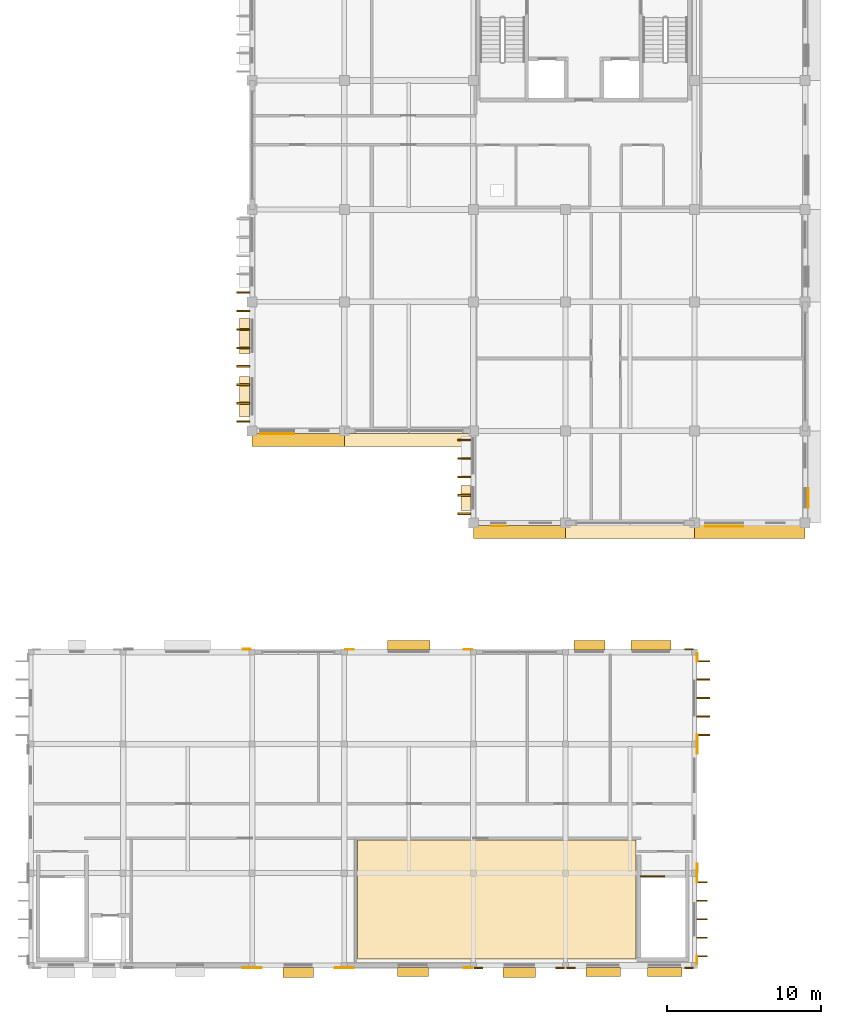
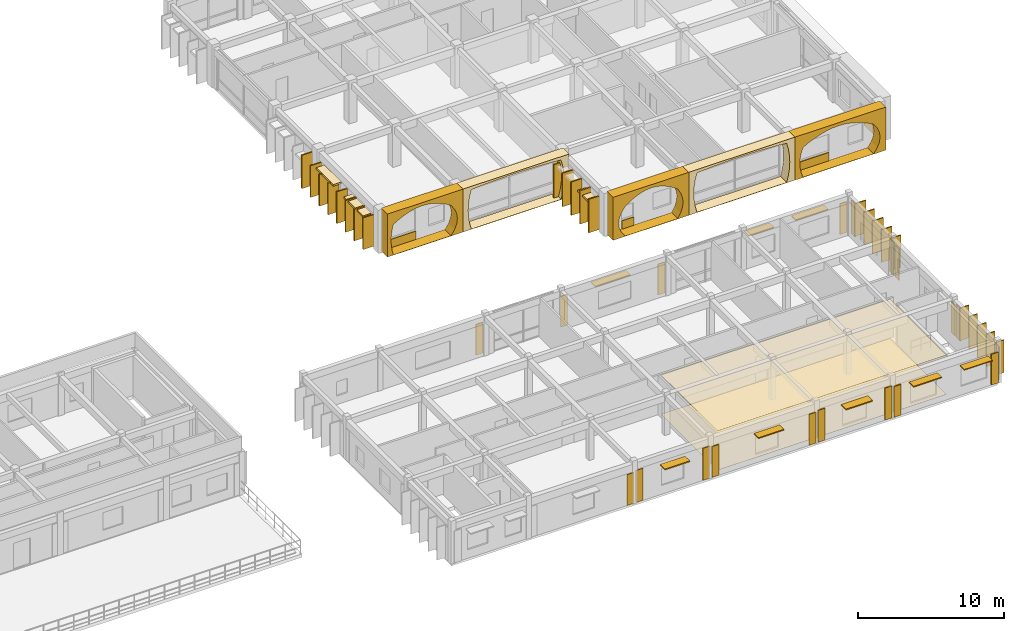
# One storey, part 84 of 88: 46 coverings, 18 shading devices, 1 railing.
"""IFC4 building model written with IfcOpenShell, lengths in metres."""

from ifc_helpers import new_model, si_unit, direction, frame, origin, origin_2d, place, context, subcontext, project, spatial, polyline, rectangle, outline, extrude, material, layer, layer_set, type_object, element, save


model = new_model("IFC4")

# Units and contexts
model_context = context("Model", 3, precision=1e-05, world=origin(), true_north=direction((0.0, 1.0)))
body_context = subcontext(model_context, "Body", "Model", "MODEL_VIEW")
ifc_project = project(units=[si_unit("LENGTHUNIT", "METRE"), si_unit("AREAUNIT", "SQUARE_METRE"), si_unit("VOLUMEUNIT", "CUBIC_METRE"), si_unit("PLANEANGLEUNIT", "RADIAN"), si_unit("MASSUNIT", "GRAM", prefix="KILO"), si_unit("THERMODYNAMICTEMPERATUREUNIT", "KELVIN")], contexts=[model_context])

# Site, building, storey
site_placement = place(None, origin())
site = spatial("IfcSite", under=ifc_project, at=site_placement, CompositionType="ELEMENT")
building_placement = place(site_placement, origin())
building = spatial("IfcBuilding", under=site, at=building_placement, Name="Thalorik Housing Commons", CompositionType="ELEMENT")
storey_placement = place(building_placement, frame((0.0, 0.0, 4.5)))
storey = spatial("IfcBuildingStorey", under=building, at=storey_placement, Name="L01", CompositionType="ELEMENT", Elevation=4.5)

# Coverings
ifc_material_1 = material(Name="Cobalt blue glazed ceramic facade tile panel", Category="masonry")
ifc_layer_1 = layer(ifc_material_1, 0.06005859375, Name="Cobalt blue glazed ceramic facade tile panel", Category="masonry")
ifc_layer_set_1 = layer_set([ifc_layer_1], Name="Cobalt blue glazed ceramic facade tile panel")
covering_type_1 = type_object("IfcCoveringType", Name="ARC-CLD-BLU-60", PredefinedType="CLADDING", material=ifc_layer_set_1)
for number, where, z_axis, x_axis, name in (
    (1, (138.35009765625, 8.23291015625, 0.0498046875), (0.0, 0.0, 1.0), (1.0, 0.0, 0.0), "L01 Architectural Facade Cladding 5226"),
    (2, (143.64990234375, 8.23291015625, 0.0498046875), (0.0, 0.0, 1.0), (1.0, 0.0, 0.0), "L01 Architectural Facade Cladding 5227"),
):
    element("IfcCovering", number, at=place(storey_placement, frame(where, z_axis=z_axis, x_axis=x_axis)), inside=storey, type_object=covering_type_1, Name=name, PredefinedType="CLADDING", context=body_context, shape_type="SweptSolid", body=[
        extrude(rectangle(XDim=0.550048828125, YDim=0.06005859375, at=origin_2d()), origin(), (0.0, 0.0, 1.0), 2.675048828125),
    ])
for number, where, z_axis, x_axis, name in (
    (3, (166.967041015625, 14.75, 0.050048828125), (0.0, 0.0, 1.0), (0.0, 1.0, 0.0), "L01 Architectural Facade Cladding 5236"),
    (4, (166.967041015625, 22.449951171875, 0.050048828125), (0.0, 0.0, 1.0), (0.0, 1.0, 0.0), "L01 Architectural Facade Cladding 5237"),
):
    element("IfcCovering", number, at=place(storey_placement, frame(where, z_axis=z_axis, x_axis=x_axis)), inside=storey, type_object=covering_type_1, Name=name, PredefinedType="CLADDING", context=body_context, shape_type="SweptSolid", body=[
        extrude(rectangle(XDim=0.550048828125, YDim=0.06005859375, at=origin_2d()), origin(), (0.0, 0.0, 1.0), 2.625),
    ])
ifc_material_2 = material(Name="Precast concrete C40/50", Category="concrete")
ifc_layer_2 = layer(ifc_material_2, 0.85009765625, Name="Precast concrete C40/50", Category="concrete")
ifc_layer_set_2 = layer_set([ifc_layer_2], Name="Precast concrete C40/50")
covering_type_2 = type_object("IfcCoveringType", Name="ARC-CLD-CUSH-850", PredefinedType="CLADDING", material=ifc_layer_set_2)
covering_1_placement = place(storey_placement, frame((141.0, 42.614990234375, 0.0), z_axis=(0.0, 0.0, 1.0), x_axis=(1.0, 0.0, 0.0)))
element("IfcCovering", 5, at=covering_1_placement, inside=storey, type_object=covering_type_2, Name="L01 White Precast Curved Cushion Bay Frame 4573", PredefinedType="CLADDING", context=body_context, shape_type="SweptSolid", body=[
    extrude(outline(polyline([(-3.0, 0.0), (3.0, 0.0), (3.0, 3.60009765625), (-3.0, 3.60009765625), (-3.0, 0.0)]), holes=[polyline([(2.044921875, 0.02490234375), (2.32568359375, 0.44921875), (2.493896484375, 0.873291015625), (2.550048828125, 1.297607421875), (2.493896484375, 1.7216796875), (2.32568359375, 2.145751953125), (2.044921875, 2.570068359375), (1.66455078125, 2.804443359375), (1.2841796875, 2.98828125), (0.90380859375, 3.1376953125), (0.523193359375, 3.248291015625), (0.142822265625, 3.31689453125), (-0.237548828125, 3.340087890625), (-0.617919921875, 3.31689453125), (-0.998291015625, 3.248291015625), (-1.378662109375, 3.1376953125), (-1.75927734375, 2.98828125), (-2.1396484375, 2.804443359375), (-2.52001953125, 2.570068359375), (-2.621337890625, 2.145751953125), (-2.68212890625, 1.7216796875), (-2.702392578125, 1.297607421875), (-2.68212890625, 0.873291015625), (-2.621337890625, 0.44921875), (-2.52001953125, 0.02490234375), (2.044921875, 0.02490234375)])]), frame((0.0, 0.425048828125, 0.0), z_axis=(0.0, -1.0, 0.0), x_axis=(1.0, 0.0, 0.0)), (0.0, 0.0, 1.0), 0.85009765625),
])
covering_2_placement = place(storey_placement, frame((148.199951171875, 42.614990234375, 0.0), z_axis=(0.0, 0.0, 1.0), x_axis=(1.0, 0.0, 0.0)))
element("IfcCovering", 6, at=covering_2_placement, inside=storey, type_object=covering_type_2, Name="L01 White Precast Curved Cushion Bay Frame 4575", PredefinedType="CLADDING", context=body_context, shape_type="SweptSolid", body=[
    extrude(outline(polyline([(-4.199951171875, 0.0), (4.199951171875, 0.0), (4.199951171875, 3.60009765625), (-4.199951171875, 3.60009765625), (-4.199951171875, 0.0)]), holes=[polyline([(3.550048828125, 0.02490234375), (3.687255859375, 0.57421875), (3.76953125, 1.123291015625), (3.797119140625, 1.672607421875), (3.76953125, 2.2216796875), (3.687255859375, 2.770751953125), (3.550048828125, 3.320068359375), (2.958251953125, 3.362548828125), (2.36669921875, 3.39599609375), (1.77490234375, 3.423095703125), (1.183349609375, 3.443359375), (0.591796875, 3.455810546875), (0.0, 3.4599609375), (-0.591796875, 3.455810546875), (-1.183349609375, 3.443359375), (-1.77490234375, 3.423095703125), (-2.36669921875, 3.39599609375), (-2.958251953125, 3.362548828125), (-3.550048828125, 3.320068359375), (-3.687255859375, 2.770751953125), (-3.76953125, 2.2216796875), (-3.797119140625, 1.672607421875), (-3.76953125, 1.123291015625), (-3.687255859375, 0.57421875), (-3.550048828125, 0.02490234375), (3.550048828125, 0.02490234375)])]), frame((0.0, 0.425048828125, 0.0), z_axis=(0.0, -1.0, 0.0), x_axis=(1.0, 0.0, 0.0)), (0.0, 0.0, 1.0), 0.85009765625),
])
covering_3_placement = place(storey_placement, frame((155.39990234375, 36.614990234375, 0.0), z_axis=(0.0, 0.0, 1.0), x_axis=(1.0, 0.0, 0.0)))
element("IfcCovering", 7, at=covering_3_placement, inside=storey, type_object=covering_type_2, Name="L01 White Precast Curved Cushion Bay Frame 4583", PredefinedType="CLADDING", context=body_context, shape_type="SweptSolid", body=[
    extrude(outline(polyline([(-3.0, 0.0), (3.0, 0.0), (3.0, 3.60009765625), (-3.0, 3.60009765625), (-3.0, 0.0)]), holes=[polyline([(2.1298828125, 0.02490234375), (2.36328125, 0.4375), (2.50341796875, 0.85009765625), (2.550048828125, 1.262451171875), (2.50341796875, 1.675048828125), (2.36328125, 2.08740234375), (2.1298828125, 2.5), (1.782470703125, 2.755615234375), (1.43505859375, 2.956298828125), (1.08740234375, 3.119140625), (0.739990234375, 3.239990234375), (0.392578125, 3.314697265625), (0.044921875, 3.340087890625), (-0.302490234375, 3.314697265625), (-0.64990234375, 3.239990234375), (-0.99755859375, 3.119140625), (-1.344970703125, 2.956298828125), (-1.6923828125, 2.755615234375), (-2.0400390625, 2.5), (-2.3232421875, 2.08740234375), (-2.493408203125, 1.675048828125), (-2.550048828125, 1.262451171875), (-2.493408203125, 0.85009765625), (-2.3232421875, 0.4375), (-2.0400390625, 0.02490234375), (2.1298828125, 0.02490234375)])]), frame((0.0, 0.425048828125, 0.0), z_axis=(0.0, -1.0, 0.0), x_axis=(1.0, 0.0, 0.0)), (0.0, 0.0, 1.0), 0.85009765625),
])
covering_4_placement = place(storey_placement, frame((162.60009765625, 36.614990234375, 0.0), z_axis=(0.0, 0.0, 1.0), x_axis=(1.0, 0.0, 0.0)))
element("IfcCovering", 8, at=covering_4_placement, inside=storey, type_object=covering_type_2, Name="L01 White Precast Curved Cushion Bay Frame 4585", PredefinedType="CLADDING", context=body_context, shape_type="SweptSolid", body=[
    extrude(outline(polyline([(-4.199951171875, 0.0), (4.199951171875, 0.0), (4.199951171875, 3.60009765625), (-4.199951171875, 3.60009765625), (-4.199951171875, 0.0)]), holes=[polyline([(3.550048828125, 0.02490234375), (3.687255859375, 0.57421875), (3.76953125, 1.123291015625), (3.797119140625, 1.672607421875), (3.76953125, 2.2216796875), (3.687255859375, 2.770751953125), (3.550048828125, 3.320068359375), (2.958251953125, 3.362548828125), (2.36669921875, 3.39599609375), (1.77490234375, 3.423095703125), (1.183349609375, 3.443359375), (0.591796875, 3.455810546875), (0.0, 3.4599609375), (-0.591796875, 3.455810546875), (-1.183349609375, 3.443359375), (-1.77490234375, 3.423095703125), (-2.36669921875, 3.39599609375), (-2.958251953125, 3.362548828125), (-3.550048828125, 3.320068359375), (-3.687255859375, 2.770751953125), (-3.76953125, 2.2216796875), (-3.797119140625, 1.672607421875), (-3.76953125, 1.123291015625), (-3.687255859375, 0.57421875), (-3.550048828125, 0.02490234375), (3.550048828125, 0.02490234375)])]), frame((0.0, 0.425048828125, 0.0), z_axis=(0.0, -1.0, 0.0), x_axis=(1.0, 0.0, 0.0)), (0.0, 0.0, 1.0), 0.85009765625),
])
covering_5_placement = place(storey_placement, frame((170.39990234375, 36.614990234375, 0.0), z_axis=(0.0, 0.0, 1.0), x_axis=(1.0, 0.0, 0.0)))
element("IfcCovering", 9, at=covering_5_placement, inside=storey, type_object=covering_type_2, Name="L01 White Precast Curved Cushion Bay Frame 4586", PredefinedType="CLADDING", context=body_context, shape_type="SweptSolid", body=[
    extrude(outline(polyline([(-3.60009765625, 0.0), (3.60009765625, 0.0), (3.60009765625, 3.60009765625), (-3.60009765625, 3.60009765625), (-3.60009765625, 0.0)]), holes=[polyline([(2.639892578125, 0.02490234375), (2.92333984375, 0.4375), (3.09326171875, 0.85009765625), (3.14990234375, 1.262451171875), (3.09326171875, 1.675048828125), (2.92333984375, 2.08740234375), (2.639892578125, 2.5), (2.17333984375, 2.755615234375), (1.706787109375, 2.956298828125), (1.239990234375, 3.119140625), (0.773193359375, 3.239990234375), (0.306640625, 3.314697265625), (-0.159912109375, 3.340087890625), (-0.626708984375, 3.314697265625), (-1.09326171875, 3.239990234375), (-1.56005859375, 3.119140625), (-2.026611328125, 2.956298828125), (-2.493408203125, 2.755615234375), (-2.9599609375, 2.5), (-3.09521484375, 2.08740234375), (-3.17626953125, 1.675048828125), (-3.203125, 1.262451171875), (-3.17626953125, 0.85009765625), (-3.09521484375, 0.4375), (-2.9599609375, 0.02490234375), (2.639892578125, 0.02490234375)])]), frame((0.0, 0.425048828125, 0.0), z_axis=(0.0, -1.0, 0.0), x_axis=(1.0, 0.0, 0.0)), (0.0, 0.0, 1.0), 0.85009765625),
])
ifc_layer_3 = layer(ifc_material_2, 0.85009765625, Name="Precast concrete C40/50", Category="concrete")
ifc_layer_set_3 = layer_set([ifc_layer_3], Name="Precast concrete C40/50")
covering_type_3 = type_object("IfcCoveringType", Name="ARC-CLD-FIN-850", PredefinedType="CLADDING", material=ifc_layer_set_3)
covering_6_placement = place(storey_placement, frame((137.4150390625, 52.199951171875, 0.0400390625), z_axis=(0.0, 0.0, 1.0), x_axis=(0.0, -1.0, 0.0)))
element("IfcCovering", 10, at=covering_6_placement, inside=storey, type_object=covering_type_3, Name="L01 Courtyard Precast Vertical Brise-Soleil Fin 4561", PredefinedType="CLADDING", context=body_context, shape_type="SweptSolid", body=[
    extrude(rectangle(XDim=0.110107421875, YDim=0.85009765625, at=origin_2d()), origin(), (0.0, 0.0, 1.0), 2.794921875),
])
for number, where, z_axis, x_axis, name in (
    (11, (137.4150390625, 51.0, 0.0400390625), (0.0, 0.0, 1.0), (0.0, -1.0, 0.0), "L01 Courtyard Precast Vertical Brise-Soleil Fin 4564"),
    (12, (137.4150390625, 49.800048828125, 0.0400390625), (0.0, 0.0, 1.0), (0.0, -1.0, 0.0), "L01 Courtyard Precast Vertical Brise-Soleil Fin 4565"),
    (13, (137.4150390625, 48.60009765625, 0.0400390625), (0.0, 0.0, 1.0), (0.0, -1.0, 0.0), "L01 Courtyard Precast Vertical Brise-Soleil Fin 4566"),
    (14, (137.4150390625, 47.39990234375, 0.0400390625), (0.0, 0.0, 1.0), (0.0, -1.0, 0.0), "L01 Courtyard Precast Vertical Brise-Soleil Fin 4567"),
    (15, (137.4150390625, 46.199951171875, 0.0400390625), (0.0, 0.0, 1.0), (0.0, -1.0, 0.0), "L01 Courtyard Precast Vertical Brise-Soleil Fin 4568"),
    (16, (137.4150390625, 45.0, 0.0400390625), (0.0, 0.0, 1.0), (0.0, -1.0, 0.0), "L01 Courtyard Precast Vertical Brise-Soleil Fin 4569"),
    (17, (137.4150390625, 43.800048828125, 0.0400390625), (0.0, 0.0, 1.0), (0.0, -1.0, 0.0), "L01 Courtyard Precast Vertical Brise-Soleil Fin 4570"),
):
    element("IfcCovering", number, at=place(storey_placement, frame(where, z_axis=z_axis, x_axis=x_axis)), inside=storey, type_object=covering_type_3, Name=name, PredefinedType="CLADDING", context=body_context, shape_type="SweptSolid", body=[
        extrude(rectangle(XDim=0.110107421875, YDim=0.85009765625, at=origin_2d()), origin(), (0.0, 0.0, 1.0), 2.64501953125),
    ])
for number, where, z_axis, x_axis, name in (
    (18, (151.81494140625, 42.60009765625, 0.0400390625), (0.0, 0.0, 1.0), (0.0, -1.0, 0.0), "L01 Courtyard Precast Vertical Brise-Soleil Fin 4576"),
    (19, (151.81494140625, 41.39990234375, 0.0400390625), (0.0, 0.0, 1.0), (0.0, -1.0, 0.0), "L01 Courtyard Precast Vertical Brise-Soleil Fin 4577"),
    (20, (151.81494140625, 40.199951171875, 0.0400390625), (0.0, 0.0, 1.0), (0.0, -1.0, 0.0), "L01 Courtyard Precast Vertical Brise-Soleil Fin 4578"),
    (21, (151.81494140625, 39.0, 0.0400390625), (0.0, 0.0, 1.0), (0.0, -1.0, 0.0), "L01 Courtyard Precast Vertical Brise-Soleil Fin 4579"),
    (22, (151.81494140625, 37.800048828125, 0.0400390625), (0.0, 0.0, 1.0), (0.0, -1.0, 0.0), "L01 Courtyard Precast Vertical Brise-Soleil Fin 4580"),
):
    element("IfcCovering", number, at=place(storey_placement, frame(where, z_axis=z_axis, x_axis=x_axis)), inside=storey, type_object=covering_type_3, Name=name, PredefinedType="CLADDING", context=body_context, shape_type="SweptSolid", body=[
        extrude(rectangle(XDim=0.110107421875, YDim=0.85009765625, at=origin_2d()), origin(), (0.0, 0.0, 1.0), 2.794921875),
    ])
ifc_layer_4 = layer(ifc_material_2, 0.64990234375, Name="Precast concrete C40/50", Category="concrete")
ifc_layer_set_4 = layer_set([ifc_layer_4], Name="Precast concrete C40/50")
covering_type_4 = type_object("IfcCoveringType", Name="ARC-CLD-HOOD-650", PredefinedType="CLADDING", material=ifc_layer_set_4)
covering_7_placement = place(storey_placement, frame((137.514892578125, 49.3701171875, 2.5751953125), z_axis=(0.0, 0.0, 1.0), x_axis=(0.0, -1.0, 0.0)))
element("IfcCovering", 23, at=covering_7_placement, inside=storey, type_object=covering_type_4, Name="L01 Courtyard Precast Window Sun-Hood 4571", PredefinedType="CLADDING", context=body_context, shape_type="SweptSolid", body=[
    extrude(rectangle(XDim=2.340087890625, YDim=0.64990234375, at=origin_2d()), origin(), (0.0, 0.0, 1.0), 0.139892578125),
])
covering_8_placement = place(storey_placement, frame((137.514892578125, 45.429931640625, 2.43994140625), z_axis=(0.0, 0.0, 1.0), x_axis=(0.0, -1.0, 0.0)))
element("IfcCovering", 24, at=covering_8_placement, inside=storey, type_object=covering_type_4, Name="L01 Courtyard Precast Window Sun-Hood 4572", PredefinedType="CLADDING", context=body_context, shape_type="SweptSolid", body=[
    extrude(rectangle(XDim=2.639892578125, YDim=0.64990234375, at=origin_2d()), origin(), (0.0, 0.0, 1.0), 0.139892578125),
])
covering_9_placement = place(storey_placement, frame((151.9150390625, 38.830078125, 2.27001953125), z_axis=(0.0, 0.0, 1.0), x_axis=(0.0, -1.0, 0.0)))
element("IfcCovering", 25, at=covering_9_placement, inside=storey, type_object=covering_type_4, Name="L01 Courtyard Precast Window Sun-Hood 4582", PredefinedType="CLADDING", context=body_context, shape_type="SweptSolid", body=[
    extrude(rectangle(XDim=1.6201171875, YDim=0.64990234375, at=origin_2d()), origin(), (0.0, 0.0, 1.0), 0.139892578125),
])
ifc_layer_5 = layer(ifc_material_2, 0.074951171875, Name="Precast concrete C40/50", Category="concrete")
ifc_layer_set_5 = layer_set([ifc_layer_5], Name="Precast concrete C40/50")
covering_type_5 = type_object("IfcCoveringType", Name="ARC-CLD-PIER-75", PredefinedType="CLADDING", material=ifc_layer_set_5)
for number, where, z_axis, x_axis, name in (
    (26, (152.75, 8.2255859375, 0.0498046875), (0.0, 0.0, 1.0), (1.0, 0.0, 0.0), "L01 Architectural Facade Cladding 5230"),
    (27, (158.050048828125, 8.2255859375, 0.0498046875), (0.0, 0.0, 1.0), (1.0, 0.0, 0.0), "L01 Architectural Facade Cladding 5231"),
):
    element("IfcCovering", number, at=place(storey_placement, frame(where, z_axis=z_axis, x_axis=x_axis)), inside=storey, type_object=covering_type_5, Name=name, PredefinedType="CLADDING", context=body_context, shape_type="SweptSolid", body=[
        extrude(rectangle(XDim=0.550048828125, YDim=0.074951171875, at=origin_2d()), origin(), (0.0, 0.0, 1.0), 2.675048828125),
    ])
covering_10_placement = place(storey_placement, frame((166.449951171875, 28.974609375, 0.0498046875), z_axis=(0.0, 0.0, 1.0), x_axis=(-1.0, 0.0, 0.0)))
element("IfcCovering", 28, at=covering_10_placement, inside=storey, type_object=covering_type_5, Name="L01 Architectural Facade Cladding 5240", PredefinedType="CLADDING", context=body_context, shape_type="SweptSolid", body=[
    extrude(rectangle(XDim=0.550048828125, YDim=0.074951171875, at=origin_2d()), origin(), (0.0, 0.0, 1.0), 2.574951171875),
])
ifc_layer_6 = layer(ifc_material_2, 0.090087890625, Name="Precast concrete C40/50", Category="concrete")
ifc_layer_set_6 = layer_set([ifc_layer_6], Name="Precast concrete C40/50")
covering_type_6 = type_object("IfcCoveringType", Name="ARC-CLD-PIER-90", PredefinedType="CLADDING", material=ifc_layer_set_6)
for number, where, z_axis, x_axis, name in (
    (29, (158.75, 8.218017578125, 0.0498046875), (0.0, 0.0, 1.0), (1.0, 0.0, 0.0), "L01 Architectural Facade Cladding 5232"),
    (30, (166.449951171875, 8.218017578125, 0.0498046875), (0.0, 0.0, 1.0), (1.0, 0.0, 0.0), "L01 Architectural Facade Cladding 5233"),
):
    element("IfcCovering", number, at=place(storey_placement, frame(where, z_axis=z_axis, x_axis=x_axis)), inside=storey, type_object=covering_type_6, Name=name, PredefinedType="CLADDING", context=body_context, shape_type="SweptSolid", body=[
        extrude(rectangle(XDim=0.550048828125, YDim=0.090087890625, at=origin_2d()), origin(), (0.0, 0.0, 1.0), 2.574951171875),
    ])
ifc_material_3 = material(Name="Terracotta red mineral fibre-cement panel", Category="masonry")
ifc_layer_7 = layer(ifc_material_3, 0.054931640625, Name="Terracotta red mineral fibre-cement panel", Category="masonry")
ifc_layer_set_7 = layer_set([ifc_layer_7], Name="Terracotta red mineral fibre-cement panel")
covering_type_7 = type_object("IfcCoveringType", Name="ARC-CLD-RED-55", PredefinedType="CLADDING", material=ifc_layer_set_7)
covering_11_placement = place(storey_placement, frame((139.6298828125, 43.007568359375, 0.0498046875), z_axis=(0.0, 0.0, 1.0), x_axis=(1.0, 0.0, 0.0)))
element("IfcCovering", 31, at=covering_11_placement, inside=storey, type_object=covering_type_7, Name="L01 De Stijl Recessed Window Spandrel 4574", PredefinedType="CLADDING", context=body_context, shape_type="SweptSolid", body=[
    extrude(rectangle(XDim=2.199951171875, YDim=0.054931640625, at=origin_2d()), origin(), (0.0, 0.0, 1.0), 0.699951171875),
])
covering_12_placement = place(storey_placement, frame((154.030029296875, 37.007568359375, 0.0498046875), z_axis=(0.0, 0.0, 1.0), x_axis=(1.0, 0.0, 0.0)))
element("IfcCovering", 32, at=covering_12_placement, inside=storey, type_object=covering_type_7, Name="L01 De Stijl Recessed Window Spandrel 4584", PredefinedType="CLADDING", context=body_context, shape_type="SweptSolid", body=[
    extrude(rectangle(XDim=0.949951171875, YDim=0.054931640625, at=origin_2d()), origin(), (0.0, 0.0, 1.0), 0.699951171875),
])
covering_13_placement = place(storey_placement, frame((174.1923828125, 38.830078125, 0.0498046875), z_axis=(0.0, 0.0, 1.0), x_axis=(0.0, 1.0, 0.0)))
element("IfcCovering", 33, at=covering_13_placement, inside=storey, type_object=covering_type_7, Name="L01 De Stijl Recessed Window Spandrel 4589", PredefinedType="CLADDING", context=body_context, shape_type="SweptSolid", body=[
    extrude(rectangle(XDim=1.25, YDim=0.054931640625, at=origin_2d()), origin(), (0.0, 0.0, 1.0), 0.699951171875),
])
covering_14_placement = place(storey_placement, frame((137.64990234375, 8.235595703125, 0.0498046875), z_axis=(0.0, 0.0, 1.0), x_axis=(1.0, 0.0, 0.0)))
element("IfcCovering", 34, at=covering_14_placement, inside=storey, type_object=covering_type_7, Name="L01 Architectural Facade Cladding 5225", PredefinedType="CLADDING", context=body_context, shape_type="SweptSolid", body=[
    extrude(rectangle(XDim=0.550048828125, YDim=0.054931640625, at=origin_2d()), origin(), (0.0, 0.0, 1.0), 2.574951171875),
])
for number, where, z_axis, x_axis, name in (
    (35, (166.964599609375, 8.75, 0.050048828125), (0.0, 0.0, 1.0), (0.0, 1.0, 0.0), "L01 Architectural Facade Cladding 5234"),
    (36, (166.964599609375, 14.050048828125, 0.050048828125), (0.0, 0.0, 1.0), (0.0, 1.0, 0.0), "L01 Architectural Facade Cladding 5235"),
):
    element("IfcCovering", number, at=place(storey_placement, frame(where, z_axis=z_axis, x_axis=x_axis)), inside=storey, type_object=covering_type_7, Name=name, PredefinedType="CLADDING", context=body_context, shape_type="SweptSolid", body=[
        extrude(rectangle(XDim=0.550048828125, YDim=0.054931640625, at=origin_2d()), origin(), (0.0, 0.0, 1.0), 2.77490234375),
    ])
for number, where, z_axis, x_axis, name in (
    (37, (152.050048828125, 28.964599609375, 0.0498046875), (0.0, 0.0, 1.0), (-1.0, 0.0, 0.0), "L01 Architectural Facade Cladding 5241"),
    (38, (144.35009765625, 28.964599609375, 0.0498046875), (0.0, 0.0, 1.0), (-1.0, 0.0, 0.0), "L01 Architectural Facade Cladding 5242"),
):
    element("IfcCovering", number, at=place(storey_placement, frame(where, z_axis=z_axis, x_axis=x_axis)), inside=storey, type_object=covering_type_7, Name=name, PredefinedType="CLADDING", context=body_context, shape_type="SweptSolid", body=[
        extrude(rectangle(XDim=0.550048828125, YDim=0.054931640625, at=origin_2d()), origin(), (0.0, 0.0, 1.0), 2.574951171875),
    ])
ifc_material_4 = material(Name="Mineral ochre architectural terracotta panel", Category="masonry")
ifc_layer_8 = layer(ifc_material_4, 0.06494140625, Name="Mineral ochre architectural terracotta panel", Category="masonry")
ifc_layer_set_8 = layer_set([ifc_layer_8], Name="Mineral ochre architectural terracotta panel")
covering_type_8 = type_object("IfcCoveringType", Name="ARC-CLD-YEL-65", PredefinedType="CLADDING", material=ifc_layer_set_8)
covering_15_placement = place(storey_placement, frame((168.72998046875, 37.00244140625, 0.0498046875), z_axis=(0.0, 0.0, 1.0), x_axis=(1.0, 0.0, 0.0)))
element("IfcCovering", 39, at=covering_15_placement, inside=storey, type_object=covering_type_8, Name="L01 De Stijl Recessed Window Spandrel 4587", PredefinedType="CLADDING", context=body_context, shape_type="SweptSolid", body=[
    extrude(rectangle(XDim=2.47998046875, YDim=0.06494140625, at=origin_2d()), origin(), (0.0, 0.0, 1.0), 0.699951171875),
])
for number, where, z_axis, x_axis, name in (
    (40, (144.35009765625, 8.23046875, 0.0498046875), (0.0, 0.0, 1.0), (1.0, 0.0, 0.0), "L01 Architectural Facade Cladding 5228"),
    (41, (152.050048828125, 8.23046875, 0.0498046875), (0.0, 0.0, 1.0), (1.0, 0.0, 0.0), "L01 Architectural Facade Cladding 5229"),
):
    element("IfcCovering", number, at=place(storey_placement, frame(where, z_axis=z_axis, x_axis=x_axis)), inside=storey, type_object=covering_type_8, Name=name, PredefinedType="CLADDING", context=body_context, shape_type="SweptSolid", body=[
        extrude(rectangle(XDim=0.550048828125, YDim=0.06494140625, at=origin_2d()), origin(), (0.0, 0.0, 1.0), 2.574951171875),
    ])
for number, where, z_axis, x_axis, name in (
    (42, (166.969482421875, 23.14990234375, 0.050048828125), (0.0, 0.0, 1.0), (0.0, 1.0, 0.0), "L01 Architectural Facade Cladding 5238"),
    (43, (166.969482421875, 28.449951171875, 0.050048828125), (0.0, 0.0, 1.0), (0.0, 1.0, 0.0), "L01 Architectural Facade Cladding 5239"),
):
    element("IfcCovering", number, at=place(storey_placement, frame(where, z_axis=z_axis, x_axis=x_axis)), inside=storey, type_object=covering_type_8, Name=name, PredefinedType="CLADDING", context=body_context, shape_type="SweptSolid", body=[
        extrude(rectangle(XDim=0.550048828125, YDim=0.06494140625, at=origin_2d()), origin(), (0.0, 0.0, 1.0), 2.77490234375),
    ])
covering_16_placement = place(storey_placement, frame((137.64990234375, 28.969482421875, 0.0498046875), z_axis=(0.0, 0.0, 1.0), x_axis=(-1.0, 0.0, 0.0)))
element("IfcCovering", 44, at=covering_16_placement, inside=storey, type_object=covering_type_8, Name="L01 Architectural Facade Cladding 5243", PredefinedType="CLADDING", context=body_context, shape_type="SweptSolid", body=[
    extrude(rectangle(XDim=0.550048828125, YDim=0.06494140625, at=origin_2d()), origin(), (0.0, 0.0, 1.0), 2.574951171875),
])
ifc_material_5 = material(Name="Perforated acoustic gypsum ceiling board")
ifc_layer_9 = layer(ifc_material_5, 0.014892578125, Name="Perforated acoustic gypsum ceiling board")
ifc_layer_set_9 = layer_set([ifc_layer_9], Name="Perforated acoustic gypsum ceiling board")
covering_type_9 = type_object("IfcCoveringType", Name="ARC-COV-CEIL-01", PredefinedType="CEILING", material=ifc_layer_set_9)
covering_17_placement = place(storey_placement, frame((0.0, 0.0, 3.284912109375)))
element("IfcCovering", 45, at=covering_17_placement, inside=storey, type_object=covering_type_9, Name="L01 Preschool Classroom Suspended Ceiling", PredefinedType="CEILING", context=body_context, shape_type="SweptSolid", body=[
    extrude(outline(polyline([(163.0, 8.800048828125), (163.0, 16.550048828125), (144.85009765625, 16.550048828125), (144.85009765625, 8.800048828125), (163.0, 8.800048828125)])), origin(), (0.0, 0.0, 1.0), 0.01513671875),
])
ifc_material_6 = material(Name="Glazed Recife ceramic apartment floor tile")
ifc_layer_10 = layer(ifc_material_6, 0.011962890625, Name="Glazed Recife ceramic apartment floor tile")
ifc_layer_set_10 = layer_set([ifc_layer_10], Name="Glazed Recife ceramic apartment floor tile")
covering_type_10 = type_object("IfcCoveringType", Name="ARC-COV-FLR-01", PredefinedType="FLOORING", material=ifc_layer_set_10)
covering_18_placement = place(storey_placement, origin())
element("IfcCovering", 46, at=covering_18_placement, inside=storey, type_object=covering_type_10, Name="L01 Preschool Classroom Flooring", PredefinedType="FLOORING", context=body_context, shape_type="SweptSolid", body=[
    extrude(outline(polyline([(163.0, 8.800048828125), (163.0, 16.550048828125), (144.85009765625, 16.550048828125), (144.85009765625, 8.800048828125), (163.0, 8.800048828125)])), origin(), (0.0, 0.0, 1.0), 0.011962890625),
])

# Shading devices
ifc_material_7 = material(Name="Cobalt blue anodised aluminium", Category="aluminium")
shading_device_type_1 = type_object("IfcShadingDeviceType", Name="ARC-FIN-BLU-700", PredefinedType="USERDEFINED", material=ifc_material_7)
for number, where, z_axis, x_axis, name in (
    (47, (167.284912109375, 9.0, 0.119873046875), (0.0, 0.0, 1.0), (0.0, 1.0, 0.0), "L01 Vertical Precast Solar Fin 133"),
    (48, (167.284912109375, 10.199951171875, 0.119873046875), (0.0, 0.0, 1.0), (0.0, 1.0, 0.0), "L01 Vertical Precast Solar Fin 134"),
    (49, (167.284912109375, 11.39990234375, 0.119873046875), (0.0, 0.0, 1.0), (0.0, 1.0, 0.0), "L01 Vertical Precast Solar Fin 135"),
    (50, (167.284912109375, 12.60009765625, 0.119873046875), (0.0, 0.0, 1.0), (0.0, 1.0, 0.0), "L01 Vertical Precast Solar Fin 136"),
    (51, (167.284912109375, 13.800048828125, 0.119873046875), (0.0, 0.0, 1.0), (0.0, 1.0, 0.0), "L01 Vertical Precast Solar Fin 137"),
):
    element("IfcShadingDevice", number, at=place(storey_placement, frame(where, z_axis=z_axis, x_axis=x_axis)), inside=storey, type_object=shading_device_type_1, Name=name, ObjectType="FIN", PredefinedType="USERDEFINED", context=body_context, shape_type="SweptSolid", body=[
        extrude(rectangle(XDim=0.074951171875, YDim=0.699951171875, at=origin_2d()), origin(), (0.0, 0.0, 1.0), 2.72509765625),
    ])
shading_device_type_2 = type_object("IfcShadingDeviceType", Name="ARC-FIN-PC-850B", PredefinedType="USERDEFINED", material=ifc_material_2)
for number, where, z_axis, x_axis, name in (
    (52, (167.360107421875, 23.39990234375, 0.119873046875), (0.0, 0.0, 1.0), (0.0, 1.0, 0.0), "L01 Vertical Precast Solar Fin 138"),
    (53, (167.360107421875, 24.60009765625, 0.119873046875), (0.0, 0.0, 1.0), (0.0, 1.0, 0.0), "L01 Vertical Precast Solar Fin 139"),
    (54, (167.360107421875, 25.800048828125, 0.119873046875), (0.0, 0.0, 1.0), (0.0, 1.0, 0.0), "L01 Vertical Precast Solar Fin 140"),
    (55, (167.360107421875, 27.0, 0.119873046875), (0.0, 0.0, 1.0), (0.0, 1.0, 0.0), "L01 Vertical Precast Solar Fin 141"),
    (56, (167.360107421875, 28.199951171875, 0.119873046875), (0.0, 0.0, 1.0), (0.0, 1.0, 0.0), "L01 Vertical Precast Solar Fin 142"),
):
    element("IfcShadingDevice", number, at=place(storey_placement, frame(where, z_axis=z_axis, x_axis=x_axis)), inside=storey, type_object=shading_device_type_2, Name=name, ObjectType="FIN", PredefinedType="USERDEFINED", context=body_context, shape_type="SweptSolid", body=[
        extrude(rectangle(XDim=0.090087890625, YDim=0.85009765625, at=origin_2d()), origin(), (0.0, 0.0, 1.0), 2.72509765625),
    ])
ifc_material_8 = material(Name="Anodised aluminium sun-louvre blade", Category="aluminium")
shading_device_type_3 = type_object("IfcShadingDeviceType", Name="ARC-LVR-ALU-600", PredefinedType="JALOUSIE", material=ifc_material_8)
shading_device_1_placement = place(storey_placement, frame((148.465087890625, 7.965087890625, 2.43994140625), z_axis=(0.0, 0.0, 1.0), x_axis=(1.0, 0.0, 0.0)))
element("IfcShadingDevice", 57, at=shading_device_1_placement, inside=storey, type_object=shading_device_type_3, Name="L01 Horizontal Sun-Louvre 129", PredefinedType="JALOUSIE", context=body_context, shape_type="SweptSolid", body=[
    extrude(rectangle(XDim=2.02001953125, YDim=0.60009765625, at=origin_2d()), origin(), (0.0, 0.0, 1.0), 0.080078125),
])
for number, where, z_axis, x_axis, name in (
    (58, (160.844970703125, 7.965087890625, 2.43994140625), (0.0, 0.0, 1.0), (1.0, 0.0, 0.0), "L01 Horizontal Sun-Louvre 131"),
    (59, (164.85498046875, 7.965087890625, 2.43994140625), (0.0, 0.0, 1.0), (1.0, 0.0, 0.0), "L01 Horizontal Sun-Louvre 132"),
):
    element("IfcShadingDevice", number, at=place(storey_placement, frame(where, z_axis=z_axis, x_axis=x_axis)), inside=storey, type_object=shading_device_type_3, Name=name, PredefinedType="JALOUSIE", context=body_context, shape_type="SweptSolid", body=[
        extrude(rectangle(XDim=2.239990234375, YDim=0.60009765625, at=origin_2d()), origin(), (0.0, 0.0, 1.0), 0.080078125),
    ])
shading_device_2_placement = place(storey_placement, frame((163.965087890625, 29.235107421875, 2.43994140625), z_axis=(0.0, 0.0, 1.0), x_axis=(-1.0, 0.0, 0.0)))
element("IfcShadingDevice", 60, at=shading_device_2_placement, inside=storey, type_object=shading_device_type_3, Name="L01 Horizontal Sun-Louvre 143", PredefinedType="JALOUSIE", context=body_context, shape_type="SweptSolid", body=[
    extrude(rectangle(XDim=2.580078125, YDim=0.60009765625, at=origin_2d()), origin(), (0.0, 0.0, 1.0), 0.080078125),
])
shading_device_3_placement = place(storey_placement, frame((159.955078125, 29.235107421875, 2.43994140625), z_axis=(0.0, 0.0, 1.0), x_axis=(-1.0, 0.0, 0.0)))
element("IfcShadingDevice", 61, at=shading_device_3_placement, inside=storey, type_object=shading_device_type_3, Name="L01 Horizontal Sun-Louvre 144", PredefinedType="JALOUSIE", context=body_context, shape_type="SweptSolid", body=[
    extrude(rectangle(XDim=2.02001953125, YDim=0.60009765625, at=origin_2d()), origin(), (0.0, 0.0, 1.0), 0.080078125),
])
shading_device_4_placement = place(storey_placement, frame((148.199951171875, 29.235107421875, 2.43994140625), z_axis=(0.0, 0.0, 1.0), x_axis=(-1.0, 0.0, 0.0)))
element("IfcShadingDevice", 62, at=shading_device_4_placement, inside=storey, type_object=shading_device_type_3, Name="L01 Horizontal Sun-Louvre 145", PredefinedType="JALOUSIE", context=body_context, shape_type="SweptSolid", body=[
    extrude(rectangle(XDim=2.780029296875, YDim=0.60009765625, at=origin_2d()), origin(), (0.0, 0.0, 1.0), 0.080078125),
])
ifc_material_9 = material(Name="Mineral ochre aluminium sun-louvre", Category="aluminium")
shading_device_type_4 = type_object("IfcShadingDeviceType", Name="ARC-LVR-OCH-650", PredefinedType="JALOUSIE", material=ifc_material_9)
shading_device_5_placement = place(storey_placement, frame((141.0, 7.93994140625, 2.43505859375), z_axis=(0.0, 0.0, 1.0), x_axis=(1.0, 0.0, 0.0)))
element("IfcShadingDevice", 63, at=shading_device_5_placement, inside=storey, type_object=shading_device_type_4, Name="L01 Horizontal Sun-Louvre 128", PredefinedType="JALOUSIE", context=body_context, shape_type="SweptSolid", body=[
    extrude(rectangle(XDim=1.97998046875, YDim=0.64990234375, at=origin_2d()), origin(), (0.0, 0.0, 1.0), 0.090087890625),
])
shading_device_6_placement = place(storey_placement, frame((155.39990234375, 7.93994140625, 2.43505859375), z_axis=(0.0, 0.0, 1.0), x_axis=(1.0, 0.0, 0.0)))
element("IfcShadingDevice", 64, at=shading_device_6_placement, inside=storey, type_object=shading_device_type_4, Name="L01 Horizontal Sun-Louvre 130", PredefinedType="JALOUSIE", context=body_context, shape_type="SweptSolid", body=[
    extrude(rectangle(XDim=2.1201171875, YDim=0.64990234375, at=origin_2d()), origin(), (0.0, 0.0, 1.0), 0.090087890625),
])

# Railing
ifc_material_10 = material(Name="Steel S355", Category="steel")
railing_type = type_object("IfcRailingType", Name="ARC-RL-STR-GRD110", PredefinedType="GUARDRAIL", material=ifc_material_10)
railing_placement = place(storey_placement, frame((163.300048828125, 14.199951171875, 0.0)))
element("IfcRailing", 65, at=railing_placement, inside=storey, type_object=railing_type, Name="L01 ST-N2 top well guard 1", PredefinedType="GUARDRAIL", context=body_context, shape_type="SweptSolid", body=[
    extrude(rectangle(XDim=0.048095703125, YDim=0.048095703125, at=origin_2d()), frame((0.0, 0.0, 1.076171875), z_axis=(1.0, 0.0, 0.0), x_axis=(0.0, 1.0, 0.0)), (0.0, 0.0, 1.0), 1.550048828125),
    extrude(rectangle(XDim=0.048095703125, YDim=0.048095703125, at=origin_2d()), frame((0.0, 0.0, 0.52587890625), z_axis=(1.0, 0.0, 0.0), x_axis=(0.0, 1.0, 0.0)), (0.0, 0.0, 1.0), 1.550048828125),
    extrude(rectangle(XDim=0.0419921875, YDim=0.0419921875, at=origin_2d()), origin(), (0.0, 0.0, 1.0), 1.052001953125),
    extrude(rectangle(XDim=0.0419921875, YDim=0.0419921875, at=origin_2d()), frame((0.77490234375, 0.0, 0.0)), (0.0, 0.0, 1.0), 1.052001953125),
    extrude(rectangle(XDim=0.0419921875, YDim=0.0419921875, at=origin_2d()), frame((1.550048828125, 0.0, 0.0)), (0.0, 0.0, 1.0), 1.052001953125),
])

save(model, "model.ifc")
